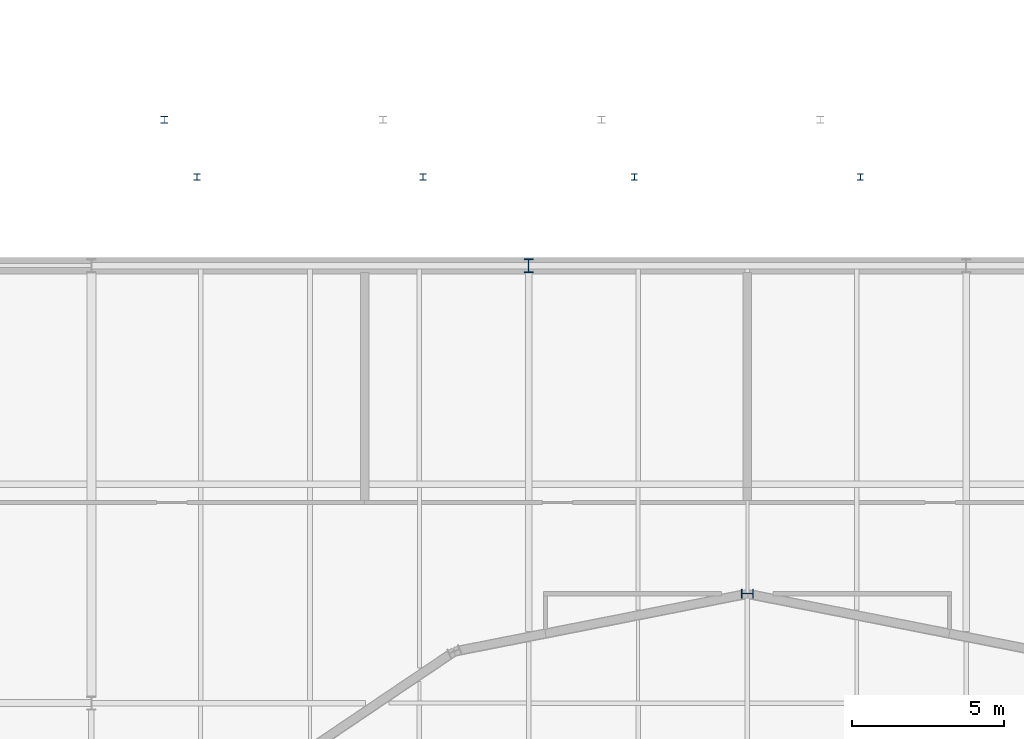
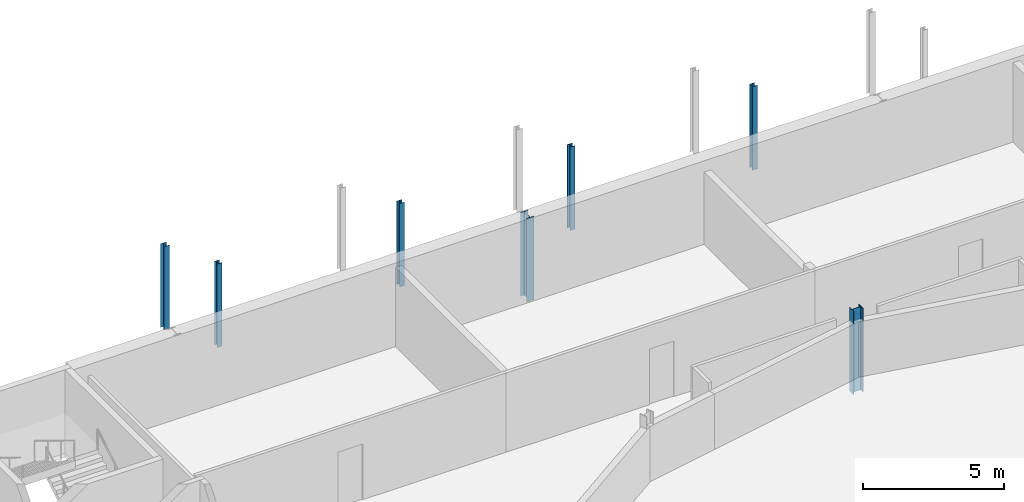
# One storey, part 10 of 90: 7 columns.
"""IFC4 building model written with IfcOpenShell, lengths in metres."""

from ifc_helpers import new_model, si_unit, direction, frame, origin, origin_2d, place, context, subcontext, project, spatial, i_section, extrude, material, material_profile, profile_set, type_object, element, save


model = new_model("IFC4")

# Units and contexts
model_context = context("Model", 3, precision=1e-05, world=origin(), true_north=direction((0.0, 1.0)))
body_context = subcontext(model_context, "Body", "Model", "MODEL_VIEW")
ifc_project = project(units=[si_unit("LENGTHUNIT", "METRE"), si_unit("AREAUNIT", "SQUARE_METRE"), si_unit("VOLUMEUNIT", "CUBIC_METRE"), si_unit("PLANEANGLEUNIT", "RADIAN"), si_unit("MASSUNIT", "GRAM", prefix="KILO")], contexts=[model_context])

# Site, building, storey
site_placement = place(None, origin())
site = spatial("IfcSite", under=ifc_project, at=site_placement, CompositionType="ELEMENT")
building_placement = place(site_placement, origin())
building = spatial("IfcBuilding", under=site, at=building_placement, Name="Kupolbacken Congress Centre", CompositionType="ELEMENT")
storey_placement = place(building_placement, frame((0.0, 0.0, 3.60009765625)))
storey = spatial("IfcBuildingStorey", under=building, at=storey_placement, Name="L01", CompositionType="ELEMENT", Elevation=3.60009765625)

# Columns
ifc_material_1 = material(Name="Steel S355", Category="steel")
ifc_material_profile_1 = material_profile(ifc_material_1, i_section(OverallWidth=0.300048828125, OverallDepth=0.449951171875, WebThickness=0.013916015625, FlangeThickness=0.02587890625, FilletRadius=0.027099609375, at=origin_2d()), Name="HEB 450")
ifc_profile_set_1 = profile_set([ifc_material_profile_1], Name="Steel S355")
column_type_1 = type_object("IfcColumnType", Name="C03 column HEB 450", PredefinedType="COLUMN", material=ifc_profile_set_1)
column_1_placement = place(storey_placement, frame((36.0, 122.39990234375, 0.0), z_axis=(0.0, 0.0, 1.0), x_axis=(1.0, 0.0, 0.0)))
element("IfcColumn", 1, at=column_1_placement, inside=storey, type_object=column_type_1, Name="S/col/C-P-6T/L01", PredefinedType="COLUMN", context=body_context, shape_type="SweptSolid", body=[
    extrude(i_section(OverallWidth=0.300048828125, OverallDepth=0.449951171875, WebThickness=0.013916015625, FlangeThickness=0.02587890625, FilletRadius=0.027099609375, at=origin_2d()), origin(), (0.0, 0.0, 1.0), 3.599853515625),
])
ifc_material_2 = material(Name="Steel S355", Category="steel")
ifc_material_profile_2 = material_profile(ifc_material_2, i_section(OverallWidth=0.300048828125, OverallDepth=0.39990234375, WebThickness=0.013427734375, FlangeThickness=0.02392578125, FilletRadius=0.027099609375, at=origin_2d()), Name="HEB 400")
ifc_profile_set_2 = profile_set([ifc_material_profile_2], Name="Steel S355")
column_type_2 = type_object("IfcColumnType", Name="C08 column HEB 400", PredefinedType="COLUMN", material=ifc_profile_set_2)
column_2_placement = place(storey_placement, frame((43.199951171875, 111.60009765625, 0.0), z_axis=(0.0, 0.0, 1.0), x_axis=(0.0, 1.0, 0.0)))
element("IfcColumn", 2, at=column_2_placement, inside=storey, type_object=column_type_2, Name="S/col/C-D05/L01", PredefinedType="COLUMN", context=body_context, shape_type="SweptSolid", body=[
    extrude(i_section(OverallWidth=0.300048828125, OverallDepth=0.39990234375, WebThickness=0.013427734375, FlangeThickness=0.02392578125, FilletRadius=0.027099609375, at=origin_2d()), origin(), (0.0, 0.0, 1.0), 3.599853515625),
])
ifc_material_3 = material(Name="Steel S355", Category="steel")
ifc_material_profile_3 = material_profile(ifc_material_3, i_section(OverallWidth=0.239990234375, OverallDepth=0.22998046875, WebThickness=0.007568359375, FlangeThickness=0.011962890625, FilletRadius=0.02099609375, at=origin_2d()), Name="HEA 240")
ifc_profile_set_3 = profile_set([ifc_material_profile_3], Name="Steel S355")
column_type_3 = type_object("IfcColumnType", Name="C10 column HEA 240", PredefinedType="COLUMN", material=ifc_profile_set_3)
column_3_placement = place(storey_placement, frame((24.0, 127.199951171875, 0.0), z_axis=(0.0, 0.0, 1.0), x_axis=(1.0, 0.0, 0.0)))
element("IfcColumn", 3, at=column_3_placement, inside=storey, type_object=column_type_3, Name="E/T/portico/P/col24/L01", PredefinedType="COLUMN", context=body_context, shape_type="SweptSolid", body=[
    extrude(i_section(OverallWidth=0.239990234375, OverallDepth=0.22998046875, WebThickness=0.007568359375, FlangeThickness=0.011962890625, FilletRadius=0.02099609375, at=origin_2d()), origin(), (0.0, 0.0, 1.0), 3.599853515625),
])
ifc_material_4 = material(Name="Steel S355", Category="steel")
ifc_material_profile_4 = material_profile(ifc_material_4, i_section(OverallWidth=0.199951171875, OverallDepth=0.199951171875, WebThickness=0.009033203125, FlangeThickness=0.014892578125, FilletRadius=0.01806640625, at=origin_2d()), Name="HEB 200")
ifc_profile_set_4 = profile_set([ifc_material_profile_4], Name="Steel S355")
column_type_4 = type_object("IfcColumnType", Name="C11 column HEB 200", PredefinedType="COLUMN", material=ifc_profile_set_4)
for number, where, z_axis, x_axis, name in (
    (4, (32.52001953125, 125.320068359375, 0.0), (0.0, 0.0, 1.0), (1.0, 0.0, 0.0), "E/canopy/HEN1/col1/L01"),
    (5, (25.080078125, 125.320068359375, 0.0), (0.0, 0.0, 1.0), (1.0, 0.0, 0.0), "E/canopy/HEN1/col2/L01"),
    (6, (46.919921875, 125.320068359375, 0.0), (0.0, 0.0, 1.0), (1.0, 0.0, 0.0), "E/canopy/HEN2/col1/L01"),
    (7, (39.47998046875, 125.320068359375, 0.0), (0.0, 0.0, 1.0), (1.0, 0.0, 0.0), "E/canopy/HEN2/col2/L01"),
):
    element("IfcColumn", number, at=place(storey_placement, frame(where, z_axis=z_axis, x_axis=x_axis)), inside=storey, type_object=column_type_4, Name=name, PredefinedType="COLUMN", context=body_context, shape_type="SweptSolid", body=[
        extrude(i_section(OverallWidth=0.199951171875, OverallDepth=0.199951171875, WebThickness=0.009033203125, FlangeThickness=0.014892578125, FilletRadius=0.01806640625, at=origin_2d()), origin(), (0.0, 0.0, 1.0), 3.599853515625),
    ])

save(model, "model.ifc")
